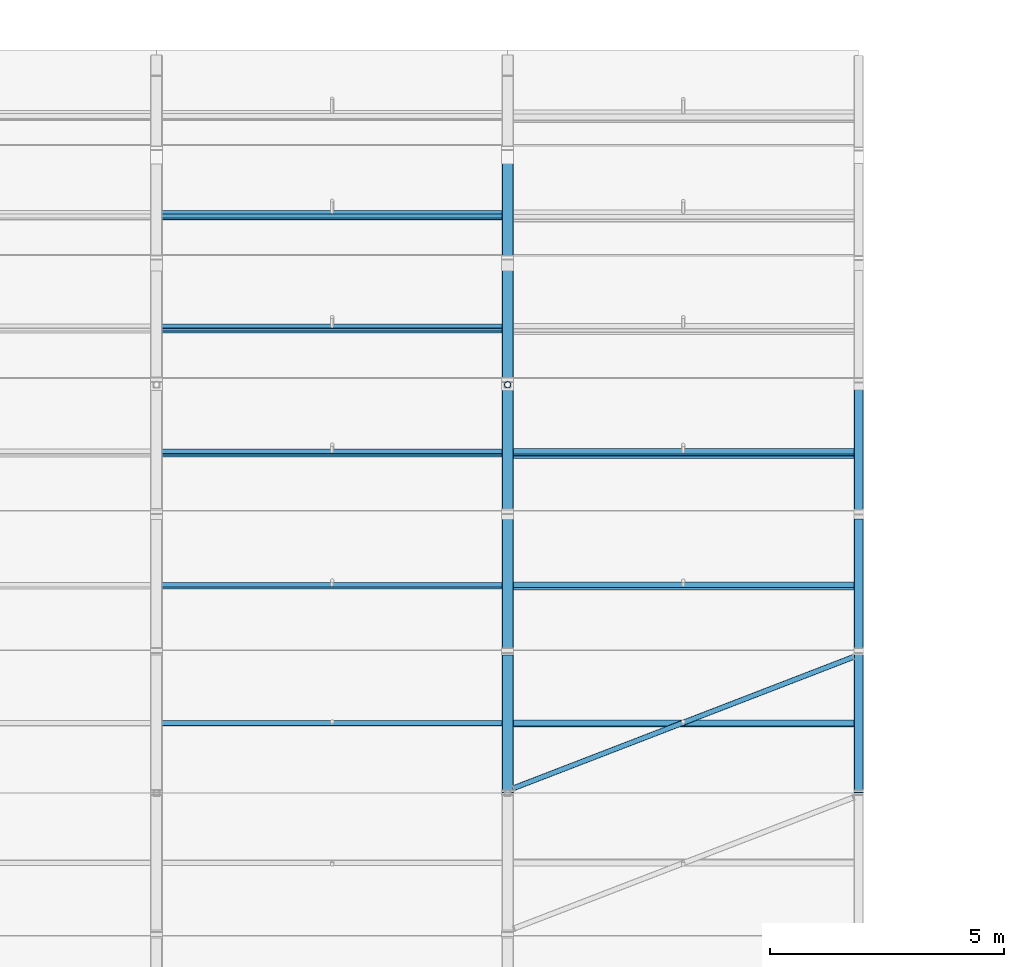
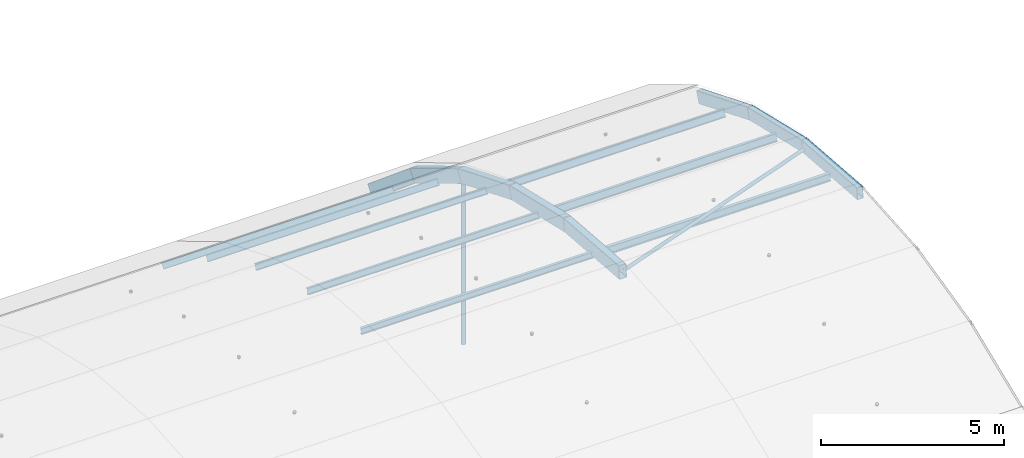
# One storey, part 28 of 77: 10 members, 8 beams.
"""IFC4 building model written with IfcOpenShell, lengths in metres."""

from ifc_helpers import new_model, si_unit, direction, frame, origin, origin_2d, place, context, subcontext, project, spatial, hollow_rectangle, hollow_circle, i_section, extrude, material, material_profile, profile_set, type_object, element, save


model = new_model("IFC4")

# Units and contexts
model_context = context("Model", 3, precision=1e-05, world=origin(), true_north=direction((0.0, 1.0)))
body_context = subcontext(model_context, "Body", "Model", "MODEL_VIEW")
ifc_project = project(units=[si_unit("LENGTHUNIT", "METRE"), si_unit("AREAUNIT", "SQUARE_METRE"), si_unit("VOLUMEUNIT", "CUBIC_METRE"), si_unit("PLANEANGLEUNIT", "RADIAN"), si_unit("MASSUNIT", "GRAM", prefix="KILO")], contexts=[model_context])

# Site, building, storey
site_placement = place(None, origin())
site = spatial("IfcSite", under=ifc_project, at=site_placement, CompositionType="ELEMENT")
building_placement = place(site_placement, origin())
building = spatial("IfcBuilding", under=site, at=building_placement, Name="Yukiwa Park Conservatory and Herbarium", CompositionType="ELEMENT")
storey_placement = place(building_placement, frame((0.0, 0.0, 13.199951171875)))
storey = spatial("IfcBuildingStorey", under=building, at=storey_placement, Name="L03", CompositionType="ELEMENT", Elevation=13.199951171875)

# Beams
ifc_material_1 = material(Name="Steel Q355D", Category="steel")
ifc_material_profile_1 = material_profile(ifc_material_1, hollow_rectangle(XDim=0.25, YDim=0.449951171875, WallThickness=0.013916015625, InnerFilletRadius=0.013916015625, OuterFilletRadius=0.028076171875, at=origin_2d()), Name="RHS 450x250x14")
ifc_profile_set_1 = profile_set([ifc_material_profile_1], Name="Steel Q355D")
beam_type_1 = type_object("IfcBeamType", Name="BM-VLT-ARCH450", PredefinedType="BEAM", material=ifc_profile_set_1)
for number, where, z_axis, x_axis, name in (
    (1, (52.5, 15.60009765625, 3.60009765625), (0.0, 0.997015721433, -0.077198777292), (-1.0, 0.0, 0.0), "Conservatory barrel vault arch rib 8 chord 7"),
    (2, (52.5, 18.601806640625, 3.36767578125), (0.0, 0.973254208946, -0.22973080936), (-1.0, 0.0, 0.0), "Conservatory barrel vault arch rib 8 chord 8"),
    (3, (52.5, 21.531982421875, 2.676025390625), (0.0, 0.926245501683, -0.37692077498), (-1.0, 0.0, 0.0), "Conservatory barrel vault arch rib 8 chord 9"),
    (4, (52.5, 24.320556640625, 1.541259765625), (0.0, 0.857249569488, -0.514901131881), (-1.0, 0.0, 0.0), "Conservatory barrel vault arch rib 8 chord 10"),
    (5, (52.5, 26.901611328125, -0.009033203125), (0.0, 0.767782402885, -0.640710684959), (-1.0, 0.0, 0.0), "Conservatory barrel vault arch rib 8 chord 11"),
):
    element("IfcBeam", number, at=place(storey_placement, frame(where, z_axis=z_axis, x_axis=x_axis)), inside=storey, type_object=beam_type_1, Name=name, PredefinedType="BEAM", context=body_context, shape_type="SweptSolid", body=[
        extrude(hollow_rectangle(XDim=0.25, YDim=0.449951171875, WallThickness=0.013916015625, InnerFilletRadius=0.013916015625, OuterFilletRadius=0.028076171875, at=origin_2d()), origin(), (0.0, 0.0, 1.0), 3.0107421875),
    ])
ifc_material_2 = material(Name="Steel Q355D", Category="steel")
ifc_material_profile_2 = material_profile(ifc_material_2, hollow_rectangle(XDim=0.199951171875, YDim=0.39990234375, WallThickness=0.011962890625, InnerFilletRadius=0.011962890625, OuterFilletRadius=0.02392578125, at=origin_2d()), Name="RHS 400x200x12")
ifc_profile_set_2 = profile_set([ifc_material_profile_2], Name="Steel Q355D")
beam_type_2 = type_object("IfcBeamType", Name="BM-VLT-GABLE400", PredefinedType="BEAM", material=ifc_profile_set_2)
for number, where, z_axis, x_axis, name in (
    (6, (60.0, 15.60009765625, 3.60009765625), (0.0, 0.997015721433, -0.077198777292), (-1.0, 0.0, 0.0), "Conservatory barrel vault arch rib 9 chord 7"),
    (7, (60.0, 18.601806640625, 3.36767578125), (0.0, 0.973254208946, -0.22973080936), (-1.0, 0.0, 0.0), "Conservatory barrel vault arch rib 9 chord 8"),
    (8, (60.0, 21.531982421875, 2.676025390625), (0.0, 0.926245501683, -0.37692077498), (-1.0, 0.0, 0.0), "Conservatory barrel vault arch rib 9 chord 9"),
):
    element("IfcBeam", number, at=place(storey_placement, frame(where, z_axis=z_axis, x_axis=x_axis)), inside=storey, type_object=beam_type_2, Name=name, PredefinedType="BEAM", context=body_context, shape_type="SweptSolid", body=[
        extrude(hollow_rectangle(XDim=0.199951171875, YDim=0.39990234375, WallThickness=0.011962890625, InnerFilletRadius=0.011962890625, OuterFilletRadius=0.02392578125, at=origin_2d()), origin(), (0.0, 0.0, 1.0), 3.0107421875),
    ])

# Members
ifc_material_3 = material(Name="Steel Q355D", Category="steel")
ifc_material_profile_3 = material_profile(ifc_material_3, i_section(OverallWidth=0.10009765625, OverallDepth=0.199951171875, WebThickness=0.005615234375, FlangeThickness=0.008056640625, FilletRadius=0.010986328125, at=origin_2d()), Name="HN 200x100x5.5x8")
ifc_profile_set_3 = profile_set([ifc_material_profile_3], Name="Steel Q355D")
member_type_1 = type_object("IfcMemberType", Name="MB-VLT-PURL200", PredefinedType="PURLIN", material=ifc_profile_set_3)
for number, where, z_axis, x_axis, name in (
    (9, (45.0849609375, 17.087158203125, 3.308349609375), (1.0, 0.0, 0.0), (0.0, 0.997015814894, -0.077197570239), "Conservatory vault longitudinal purlin 7.7"),
    (10, (45.0849609375, 20.0263671875, 2.850341796875), (1.0, 0.0, 0.0), (0.0, 0.973249092076, -0.22975248589), "Conservatory vault longitudinal purlin 7.8"),
    (11, (45.0849609375, 22.85986328125, 1.945556640625), (1.0, 0.0, 0.0), (0.0, 0.926282194237, -0.376830594086), "Conservatory vault longitudinal purlin 7.9"),
    (12, (45.0849609375, 25.5205078125, 0.615234375), (1.0, 0.0, 0.0), (0.0, 0.857233812968, -0.514927363717), "Conservatory vault longitudinal purlin 7.10"),
    (13, (45.0849609375, 27.944580078125, -1.108642578125), (1.0, 0.0, 0.0), (0.0, 0.767751470285, -0.640747750582), "Conservatory vault longitudinal purlin 7.11"),
):
    element("IfcMember", number, at=place(storey_placement, frame(where, z_axis=z_axis, x_axis=x_axis)), inside=storey, type_object=member_type_1, Name=name, PredefinedType="PURLIN", context=body_context, shape_type="SweptSolid", body=[
        extrude(i_section(OverallWidth=0.10009765625, OverallDepth=0.199951171875, WebThickness=0.005615234375, FlangeThickness=0.008056640625, FilletRadius=0.010986328125, at=origin_2d()), origin(), (0.0, 0.0, 1.0), 7.330078125),
    ])
ifc_material_4 = material(Name="Steel Q355D", Category="steel")
ifc_material_profile_4 = material_profile(ifc_material_4, i_section(OverallWidth=0.1240234375, OverallDepth=0.248046875, WebThickness=0.0048828125, FlangeThickness=0.008056640625, FilletRadius=0.011962890625, at=origin_2d()), Name="HN 248x124x5x8")
ifc_profile_set_4 = profile_set([ifc_material_profile_4], Name="Steel Q355D")
member_type_2 = type_object("IfcMemberType", Name="MB-VLT-PURL248", PredefinedType="PURLIN", material=ifc_profile_set_4)
for number, where, z_axis, x_axis, name in (
    (14, (52.5849609375, 17.08544921875, 3.284423828125), (1.0, 0.0, 0.0), (0.0, 0.997015814894, -0.077197570239), "Conservatory vault longitudinal purlin 8.7"),
    (15, (52.5849609375, 20.020751953125, 2.8271484375), (1.0, 0.0, 0.0), (0.0, 0.973249092076, -0.22975248589), "Conservatory vault longitudinal purlin 8.8"),
    (16, (52.5849609375, 22.850830078125, 1.92333984375), (1.0, 0.0, 0.0), (0.0, 0.926282194237, -0.376830594086), "Conservatory vault longitudinal purlin 8.9"),
):
    element("IfcMember", number, at=place(storey_placement, frame(where, z_axis=z_axis, x_axis=x_axis)), inside=storey, type_object=member_type_2, Name=name, PredefinedType="PURLIN", context=body_context, shape_type="SweptSolid", body=[
        extrude(i_section(OverallWidth=0.1240234375, OverallDepth=0.248046875, WebThickness=0.0048828125, FlangeThickness=0.008056640625, FilletRadius=0.011962890625, at=origin_2d()), origin(), (0.0, 0.0, 1.0), 7.330078125),
    ])
ifc_material_5 = material(Name="Steel Q355D", Category="steel")
ifc_material_profile_5 = material_profile(ifc_material_5, hollow_circle(Radius=0.06982421875, WallThickness=0.008056640625, at=origin_2d()), Name="CHS 139.7x8")
ifc_profile_set_5 = profile_set([ifc_material_profile_5], Name="Steel Q355D")
member_type_3 = type_object("IfcMemberType", Name="MB-VLT-STRUT140", PredefinedType="STRUT", material=ifc_profile_set_5)
member_1_placement = place(storey_placement, frame((52.5, 24.320556640625, -4.095947265625), z_axis=(0.0, 0.0, 1.0), x_axis=(1.0, 0.0, 0.0)))
element("IfcMember", 17, at=member_1_placement, inside=storey, type_object=member_type_3, Name="Conservatory vault bowstring hanger 8.9", PredefinedType="STRUT", context=body_context, shape_type="SweptSolid", body=[
    extrude(hollow_circle(Radius=0.06982421875, WallThickness=0.008056640625, at=origin_2d()), origin(), (0.0, 0.0, 1.0), 5.42236328125),
])
ifc_material_6 = material(Name="Steel Q355D", Category="steel")
ifc_material_profile_6 = material_profile(ifc_material_6, hollow_circle(Radius=0.05712890625, WallThickness=0.006103515625, at=origin_2d()), Name="CHS 114.3x6")
ifc_profile_set_6 = profile_set([ifc_material_profile_6], Name="Steel Q355D")
member_type_4 = type_object("IfcMemberType", Name="MB-VLT-WBRACE114-EXT", PredefinedType="BRACE", material=ifc_profile_set_6)
member_2_placement = place(storey_placement, frame((52.6201171875, 15.699951171875, 3.56005859375), z_axis=(0.932518368986, 0.359886360051, -0.029854637049), x_axis=(-0.360046850583, 0.932934223504, 0.0)))
element("IfcMember", 18, at=member_2_placement, inside=storey, type_object=member_type_4, Name="Conservatory vault wind brace 8.6", PredefinedType="BRACE", context=body_context, shape_type="SweptSolid", body=[
    extrude(hollow_circle(Radius=0.05712890625, WallThickness=0.006103515625, at=origin_2d()), origin(), (0.0, 0.0, 1.0), 7.78515625),
])

save(model, "model.ifc")
